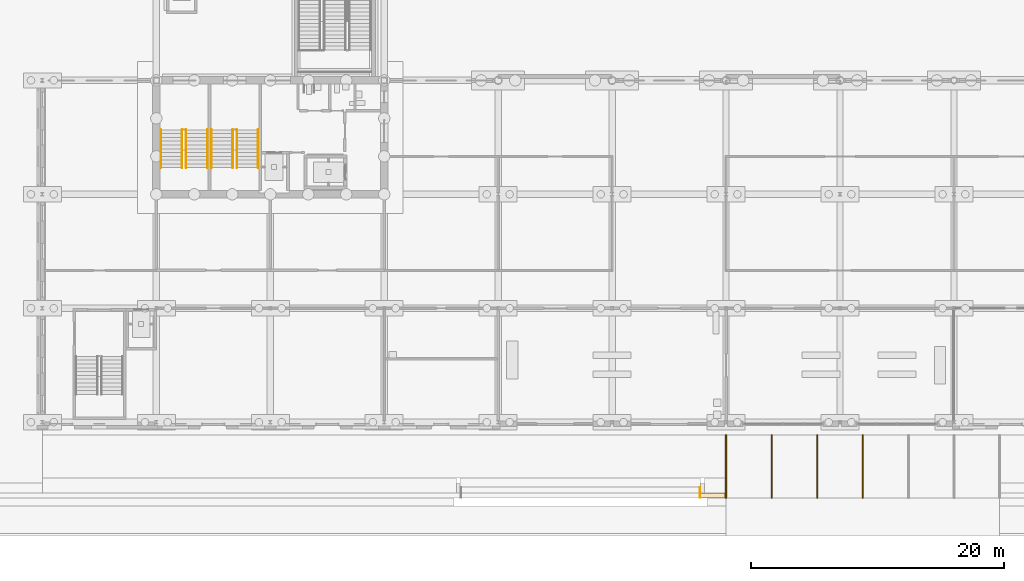
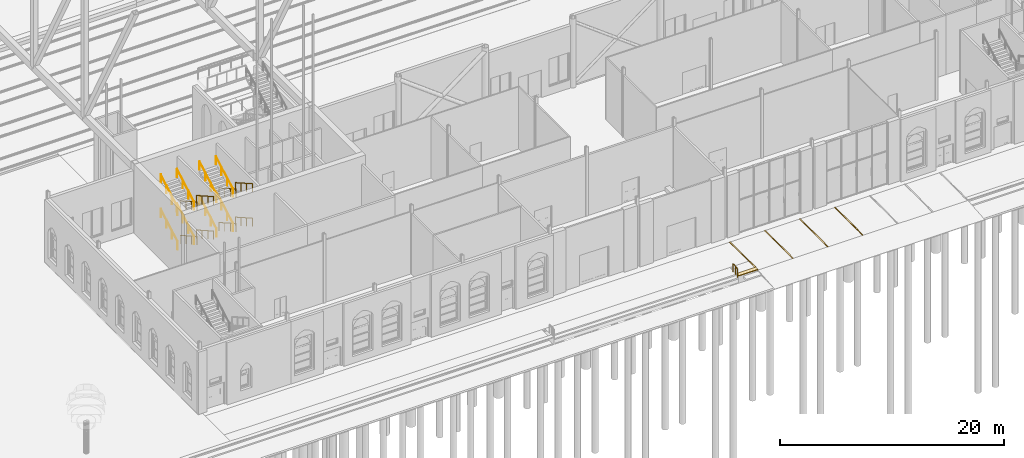
# One storey, part 176 of 250: 17 railings, 5 coverings.
"""IFC4 building model written with IfcOpenShell, lengths in metres."""

from ifc_helpers import new_model, si_unit, direction, frame, origin, origin_2d, place, context, subcontext, project, spatial, polyline, circle, outline, extrude, material, layer, layer_set, type_object, element, save


model = new_model("IFC4")

# Units and contexts
model_context = context("Model", 3, precision=1e-05, world=origin(), true_north=direction((0.0, 1.0)))
body_context = subcontext(model_context, "Body", "Model", "MODEL_VIEW")
ifc_project = project(units=[si_unit("LENGTHUNIT", "METRE"), si_unit("AREAUNIT", "SQUARE_METRE"), si_unit("VOLUMEUNIT", "CUBIC_METRE"), si_unit("PLANEANGLEUNIT", "RADIAN"), si_unit("MASSUNIT", "GRAM", prefix="KILO")], contexts=[model_context])

# Site, building, storey
site_placement = place(None, origin())
site = spatial("IfcSite", under=ifc_project, at=site_placement, CompositionType="ELEMENT")
building_placement = place(site_placement, origin())
building = spatial("IfcBuilding", under=site, at=building_placement, Name="Baradari Gate Terminus", CompositionType="ELEMENT")
storey_placement = place(building_placement, origin())
storey = spatial("IfcBuildingStorey", under=building, at=storey_placement, Name="L00", CompositionType="ELEMENT", Elevation=0.0)

# Coverings
ifc_material_1 = material(Name="Road marking paint, white")
ifc_layer_1 = layer(ifc_material_1, 0.0048828125)
ifc_layer_set_1 = layer_set([ifc_layer_1], Name="Road marking paint, white")
covering_type_1 = type_object("IfcCoveringType", Name="Bay line RM-1 5", PredefinedType="USERDEFINED", material=ifc_layer_set_1)
covering_1_placement = place(storey_placement, origin())
element("IfcCovering", 1, at=covering_1_placement, inside=storey, type_object=covering_type_1, Name="Bay line AP 1", ObjectType="ROAD MARKING", PredefinedType="USERDEFINED", context=body_context, shape_type="SweptSolid", body=[
    extrude(outline(polyline([(116.949951171875, 8.0), (116.949951171875, 3.0), (117.050048828125, 3.0), (117.050048828125, 8.0), (116.949951171875, 8.0)])), origin(), (0.0, 0.0, 1.0), 0.0048828125),
])
covering_2_placement = place(storey_placement, origin())
element("IfcCovering", 2, at=covering_2_placement, inside=storey, type_object=covering_type_1, Name="Bay line AP 2", ObjectType="ROAD MARKING", PredefinedType="USERDEFINED", context=body_context, shape_type="SweptSolid", body=[
    extrude(outline(polyline([(120.550048828125, 8.0), (120.550048828125, 3.0), (120.64990234375, 3.0), (120.64990234375, 8.0), (120.550048828125, 8.0)])), origin(), (0.0, 0.0, 1.0), 0.0048828125),
])
covering_3_placement = place(storey_placement, origin())
element("IfcCovering", 3, at=covering_3_placement, inside=storey, type_object=covering_type_1, Name="Bay line AP 3", ObjectType="ROAD MARKING", PredefinedType="USERDEFINED", context=body_context, shape_type="SweptSolid", body=[
    extrude(outline(polyline([(124.14990234375, 8.0), (124.14990234375, 3.0), (124.25, 3.0), (124.25, 8.0), (124.14990234375, 8.0)])), origin(), (0.0, 0.0, 1.0), 0.0048828125),
])
covering_4_placement = place(storey_placement, origin())
element("IfcCovering", 4, at=covering_4_placement, inside=storey, type_object=covering_type_1, Name="Bay line AP 4", ObjectType="ROAD MARKING", PredefinedType="USERDEFINED", context=body_context, shape_type="SweptSolid", body=[
    extrude(outline(polyline([(127.75, 8.0), (127.75, 3.0), (127.85009765625, 3.0), (127.85009765625, 8.0), (127.75, 8.0)])), origin(), (0.0, 0.0, 1.0), 0.0048828125),
])

# Railings
ifc_material_2 = material(Name="Stainless steel 1.4301", Category="steel")
railing_type = type_object("IfcRailingType", Name="Handrail HR-1 900", PredefinedType="HANDRAIL", material=ifc_material_2)
for number, where, name in (
    (5, (76.0400390625, 32.10009765625, 0.17041015625), "Handrail ST-GS1 L00 flight 1"),
    (6, (74.360107421875, 32.10009765625, 0.17041015625), "Handrail ST-GS1 L00 flight 1"),
):
    element("IfcRailing", number, at=place(storey_placement, frame(where)), inside=storey, type_object=railing_type, Name=name, PredefinedType="HANDRAIL", context=body_context, shape_type="SweptSolid", body=[
        extrude(circle(Radius=0.02392578125, at=origin_2d()), frame((0.0, 0.0, 0.8759765625), z_axis=(0.0, -0.869451031676, 0.494019132744), x_axis=(1.0, 0.0, 0.0)), (0.0, 0.0, 1.0), 3.450439453125),
        extrude(circle(Radius=0.02099609375, at=origin_2d()), origin(), (0.0, 0.0, 1.0), 0.851806640625),
        extrude(circle(Radius=0.02099609375, at=origin_2d()), frame((0.0, -1.0, 0.568115234375)), (0.0, 0.0, 1.0), 0.851806640625),
        extrude(circle(Radius=0.02099609375, at=origin_2d()), frame((0.0, -2.0, 1.136474609375)), (0.0, 0.0, 1.0), 0.851806640625),
        extrude(circle(Radius=0.02099609375, at=origin_2d()), frame((0.0, -3.0, 1.70458984375)), (0.0, 0.0, 1.0), 0.851806640625),
    ])
for number, where, name in (
    (7, (74.0400390625, 29.10009765625, 2.04541015625), "Handrail ST-GS1 L00 flight 2"),
    (8, (72.360107421875, 29.10009765625, 2.04541015625), "Handrail ST-GS1 L00 flight 2"),
):
    element("IfcRailing", number, at=place(storey_placement, frame(where)), inside=storey, type_object=railing_type, Name=name, PredefinedType="HANDRAIL", context=body_context, shape_type="SweptSolid", body=[
        extrude(circle(Radius=0.02392578125, at=origin_2d()), frame((0.0, 0.0, 0.8759765625), z_axis=(0.0, 0.869451031676, 0.494019132744), x_axis=(-1.0, 0.0, 0.0)), (0.0, 0.0, 1.0), 3.450439453125),
        extrude(circle(Radius=0.02099609375, at=origin_2d()), origin(), (0.0, 0.0, 1.0), 0.851806640625),
        extrude(circle(Radius=0.02099609375, at=origin_2d()), frame((0.0, 1.0, 0.568115234375)), (0.0, 0.0, 1.0), 0.851806640625),
        extrude(circle(Radius=0.02099609375, at=origin_2d()), frame((0.0, 2.0, 1.136474609375)), (0.0, 0.0, 1.0), 0.851806640625),
        extrude(circle(Radius=0.02099609375, at=origin_2d()), frame((0.0, 3.0, 1.70458984375)), (0.0, 0.0, 1.0), 0.851806640625),
    ])
for number, where, name in (
    (9, (76.0400390625, 32.10009765625, 3.92041015625), "Handrail ST-GS1 L00 flight 3"),
    (10, (74.360107421875, 32.10009765625, 3.92041015625), "Handrail ST-GS1 L00 flight 3"),
):
    element("IfcRailing", number, at=place(storey_placement, frame(where)), inside=storey, type_object=railing_type, Name=name, PredefinedType="HANDRAIL", context=body_context, shape_type="SweptSolid", body=[
        extrude(circle(Radius=0.02392578125, at=origin_2d()), frame((0.0, 0.0, 0.8759765625), z_axis=(0.0, -0.869451031676, 0.494019132744), x_axis=(1.0, 0.0, 0.0)), (0.0, 0.0, 1.0), 3.450439453125),
        extrude(circle(Radius=0.02099609375, at=origin_2d()), origin(), (0.0, 0.0, 1.0), 0.851806640625),
        extrude(circle(Radius=0.02099609375, at=origin_2d()), frame((0.0, -1.0, 0.568115234375)), (0.0, 0.0, 1.0), 0.851806640625),
        extrude(circle(Radius=0.02099609375, at=origin_2d()), frame((0.0, -2.0, 1.136474609375)), (0.0, 0.0, 1.0), 0.851806640625),
        extrude(circle(Radius=0.02099609375, at=origin_2d()), frame((0.0, -3.0, 1.70458984375)), (0.0, 0.0, 1.0), 0.851806640625),
    ])
for number, where, name in (
    (11, (74.0400390625, 29.10009765625, 5.79541015625), "Handrail ST-GS1 L00 flight 4"),
    (12, (72.360107421875, 29.10009765625, 5.79541015625), "Handrail ST-GS1 L00 flight 4"),
):
    element("IfcRailing", number, at=place(storey_placement, frame(where)), inside=storey, type_object=railing_type, Name=name, PredefinedType="HANDRAIL", context=body_context, shape_type="SweptSolid", body=[
        extrude(circle(Radius=0.02392578125, at=origin_2d()), frame((0.0, 0.0, 0.8759765625), z_axis=(0.0, 0.869451031676, 0.494019132744), x_axis=(-1.0, 0.0, 0.0)), (0.0, 0.0, 1.0), 3.450439453125),
        extrude(circle(Radius=0.02099609375, at=origin_2d()), origin(), (0.0, 0.0, 1.0), 0.851806640625),
        extrude(circle(Radius=0.02099609375, at=origin_2d()), frame((0.0, 1.0, 0.568115234375)), (0.0, 0.0, 1.0), 0.851806640625),
        extrude(circle(Radius=0.02099609375, at=origin_2d()), frame((0.0, 2.0, 1.136474609375)), (0.0, 0.0, 1.0), 0.851806640625),
        extrude(circle(Radius=0.02099609375, at=origin_2d()), frame((0.0, 3.0, 1.70458984375)), (0.0, 0.0, 1.0), 0.851806640625),
    ])
for number, where, name in (
    (13, (80.0400390625, 32.10009765625, 0.17041015625), "Handrail ST-GS2 L00 flight 1"),
    (14, (78.360107421875, 32.10009765625, 0.17041015625), "Handrail ST-GS2 L00 flight 1"),
):
    element("IfcRailing", number, at=place(storey_placement, frame(where)), inside=storey, type_object=railing_type, Name=name, PredefinedType="HANDRAIL", context=body_context, shape_type="SweptSolid", body=[
        extrude(circle(Radius=0.02392578125, at=origin_2d()), frame((0.0, 0.0, 0.8759765625), z_axis=(0.0, -0.869451031676, 0.494019132744), x_axis=(1.0, 0.0, 0.0)), (0.0, 0.0, 1.0), 3.450439453125),
        extrude(circle(Radius=0.02099609375, at=origin_2d()), origin(), (0.0, 0.0, 1.0), 0.851806640625),
        extrude(circle(Radius=0.02099609375, at=origin_2d()), frame((0.0, -1.0, 0.568115234375)), (0.0, 0.0, 1.0), 0.851806640625),
        extrude(circle(Radius=0.02099609375, at=origin_2d()), frame((0.0, -2.0, 1.136474609375)), (0.0, 0.0, 1.0), 0.851806640625),
        extrude(circle(Radius=0.02099609375, at=origin_2d()), frame((0.0, -3.0, 1.70458984375)), (0.0, 0.0, 1.0), 0.851806640625),
    ])
for number, where, name in (
    (15, (78.0400390625, 29.10009765625, 2.04541015625), "Handrail ST-GS2 L00 flight 2"),
    (16, (76.360107421875, 29.10009765625, 2.04541015625), "Handrail ST-GS2 L00 flight 2"),
):
    element("IfcRailing", number, at=place(storey_placement, frame(where)), inside=storey, type_object=railing_type, Name=name, PredefinedType="HANDRAIL", context=body_context, shape_type="SweptSolid", body=[
        extrude(circle(Radius=0.02392578125, at=origin_2d()), frame((0.0, 0.0, 0.8759765625), z_axis=(0.0, 0.869451031676, 0.494019132744), x_axis=(-1.0, 0.0, 0.0)), (0.0, 0.0, 1.0), 3.450439453125),
        extrude(circle(Radius=0.02099609375, at=origin_2d()), origin(), (0.0, 0.0, 1.0), 0.851806640625),
        extrude(circle(Radius=0.02099609375, at=origin_2d()), frame((0.0, 1.0, 0.568115234375)), (0.0, 0.0, 1.0), 0.851806640625),
        extrude(circle(Radius=0.02099609375, at=origin_2d()), frame((0.0, 2.0, 1.136474609375)), (0.0, 0.0, 1.0), 0.851806640625),
        extrude(circle(Radius=0.02099609375, at=origin_2d()), frame((0.0, 3.0, 1.70458984375)), (0.0, 0.0, 1.0), 0.851806640625),
    ])
for number, where, name in (
    (17, (80.0400390625, 32.10009765625, 3.92041015625), "Handrail ST-GS2 L00 flight 3"),
    (18, (78.360107421875, 32.10009765625, 3.92041015625), "Handrail ST-GS2 L00 flight 3"),
):
    element("IfcRailing", number, at=place(storey_placement, frame(where)), inside=storey, type_object=railing_type, Name=name, PredefinedType="HANDRAIL", context=body_context, shape_type="SweptSolid", body=[
        extrude(circle(Radius=0.02392578125, at=origin_2d()), frame((0.0, 0.0, 0.8759765625), z_axis=(0.0, -0.869451031676, 0.494019132744), x_axis=(1.0, 0.0, 0.0)), (0.0, 0.0, 1.0), 3.450439453125),
        extrude(circle(Radius=0.02099609375, at=origin_2d()), origin(), (0.0, 0.0, 1.0), 0.851806640625),
        extrude(circle(Radius=0.02099609375, at=origin_2d()), frame((0.0, -1.0, 0.568115234375)), (0.0, 0.0, 1.0), 0.851806640625),
        extrude(circle(Radius=0.02099609375, at=origin_2d()), frame((0.0, -2.0, 1.136474609375)), (0.0, 0.0, 1.0), 0.851806640625),
        extrude(circle(Radius=0.02099609375, at=origin_2d()), frame((0.0, -3.0, 1.70458984375)), (0.0, 0.0, 1.0), 0.851806640625),
    ])
for number, where, name in (
    (19, (78.0400390625, 29.10009765625, 5.79541015625), "Handrail ST-GS2 L00 flight 4"),
    (20, (76.360107421875, 29.10009765625, 5.79541015625), "Handrail ST-GS2 L00 flight 4"),
):
    element("IfcRailing", number, at=place(storey_placement, frame(where)), inside=storey, type_object=railing_type, Name=name, PredefinedType="HANDRAIL", context=body_context, shape_type="SweptSolid", body=[
        extrude(circle(Radius=0.02392578125, at=origin_2d()), frame((0.0, 0.0, 0.8759765625), z_axis=(0.0, 0.869451031676, 0.494019132744), x_axis=(-1.0, 0.0, 0.0)), (0.0, 0.0, 1.0), 3.450439453125),
        extrude(circle(Radius=0.02099609375, at=origin_2d()), origin(), (0.0, 0.0, 1.0), 0.851806640625),
        extrude(circle(Radius=0.02099609375, at=origin_2d()), frame((0.0, 1.0, 0.568115234375)), (0.0, 0.0, 1.0), 0.851806640625),
        extrude(circle(Radius=0.02099609375, at=origin_2d()), frame((0.0, 2.0, 1.136474609375)), (0.0, 0.0, 1.0), 0.851806640625),
        extrude(circle(Radius=0.02099609375, at=origin_2d()), frame((0.0, 3.0, 1.70458984375)), (0.0, 0.0, 1.0), 0.851806640625),
    ])
railing_placement = place(storey_placement, frame((114.93994140625, 3.050048828125, -0.11376953125)))
element("IfcRailing", 21, at=railing_placement, inside=storey, type_object=railing_type, Name="Handrail of South entrance gate steps 2", PredefinedType="HANDRAIL", context=body_context, shape_type="SweptSolid", body=[
    extrude(circle(Radius=0.02392578125, at=origin_2d()), frame((0.0, 0.0, 0.8759765625), z_axis=(0.0, 0.950980408871, 0.309251130868), x_axis=(-1.0, 0.0, 0.0)), (0.0, 0.0, 1.0), 0.367919921875),
    extrude(circle(Radius=0.02392578125, at=origin_2d()), frame((0.0, 0.349853515625, 0.98974609375), z_axis=(0.0, 1.0, 0.0), x_axis=(-1.0, 0.0, 0.0)), (0.0, 0.0, 1.0), 0.4501953125),
    extrude(circle(Radius=0.02099609375, at=origin_2d()), origin(), (0.0, 0.0, 1.0), 0.851806640625),
    extrude(circle(Radius=0.02099609375, at=origin_2d()), frame((0.0, 0.349853515625, 0.11376953125)), (0.0, 0.0, 1.0), 0.851806640625),
    extrude(circle(Radius=0.02099609375, at=origin_2d()), frame((0.0, 0.800048828125, 0.11376953125)), (0.0, 0.0, 1.0), 0.851806640625),
])

# Covering
ifc_material_3 = material(Name="Sandstone", Category="masonry")
ifc_layer_2 = layer(ifc_material_3, 0.080078125)
ifc_layer_set_2 = layer_set([ifc_layer_2], Name="Sandstone")
covering_type_2 = type_object("IfcCoveringType", Name="Stone coping CG-1 80", PredefinedType="CLADDING", material=ifc_layer_set_2)
covering_5_placement = place(storey_placement, origin())
element("IfcCovering", 22, at=covering_5_placement, inside=storey, type_object=covering_type_2, Name="Stone coping S2", PredefinedType="CLADDING", context=body_context, shape_type="SweptSolid", body=[
    extrude(outline(polyline([(117.0, 3.0), (117.0, 3.39990234375), (115.0, 3.39990234375), (115.0, 3.0), (117.0, 3.0)])), origin(), (0.0, 0.0, 1.0), 0.080078125),
])

save(model, "model.ifc")
